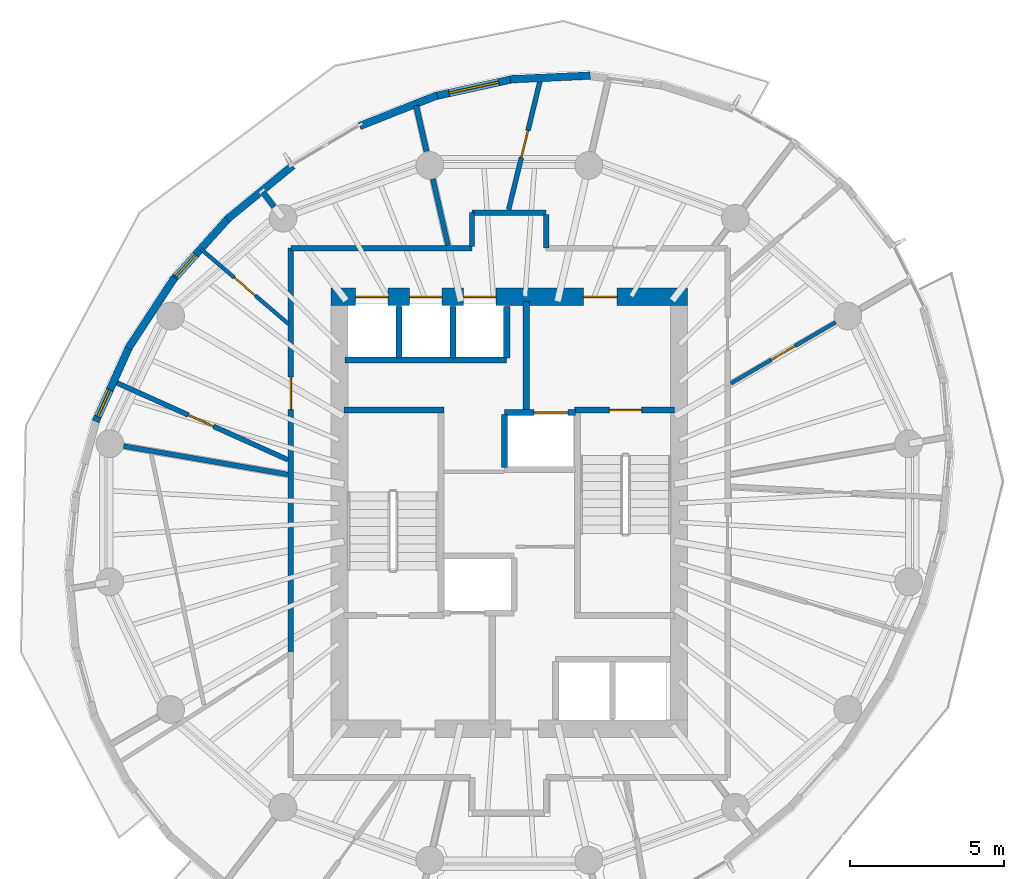
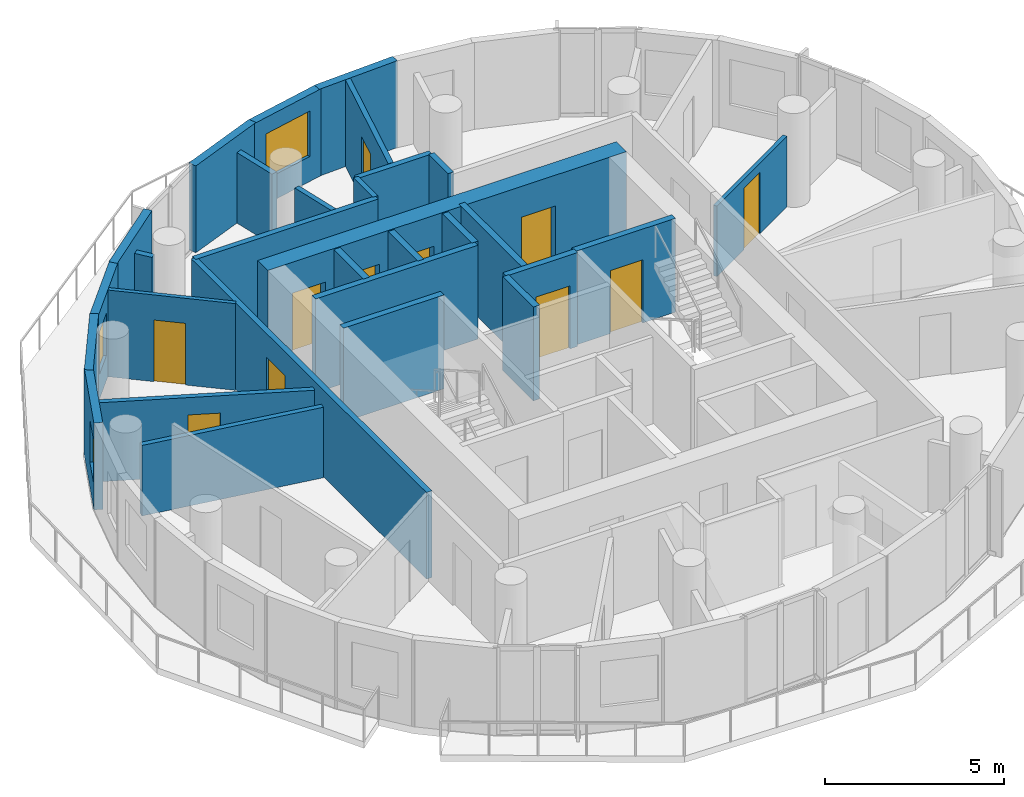
# One storey, part 6 of 10: 30 walls, 11 doors, 3 windows, 14 openings.
"""IFC4 building model written with IfcOpenShell, lengths in metres."""

from ifc_helpers import new_model, si_unit, direction, frame, frame_2d, origin, place, context, subcontext, project, spatial, rectangle, extrude, material, layer, layer_set, type_object, element, fill, save


model = new_model("IFC4")

# Units and contexts
model_context = context("Model", 3, precision=1e-05, world=origin(), true_north=direction((0.0, 1.0)))
body_context = subcontext(model_context, "Body", "Model", "MODEL_VIEW")
ifc_project = project(units=[si_unit("LENGTHUNIT", "METRE"), si_unit("AREAUNIT", "SQUARE_METRE"), si_unit("VOLUMEUNIT", "CUBIC_METRE"), si_unit("PLANEANGLEUNIT", "RADIAN"), si_unit("MASSUNIT", "GRAM", prefix="KILO")], contexts=[model_context])

# Site, building, storey
site_placement = place(None, origin())
site = spatial("IfcSite", under=ifc_project, at=site_placement, CompositionType="ELEMENT")
building_placement = place(site_placement, origin())
building = spatial("IfcBuilding", under=site, at=building_placement, Name="Veldorim Arch Residences", CompositionType="ELEMENT")
storey_placement = place(building_placement, frame((0.0, 0.0, 175.840087890625)))
storey = spatial("IfcBuildingStorey", under=building, at=storey_placement, Name="L52", CompositionType="ELEMENT", Elevation=175.840087890625)

# Wall, opening, door
ifc_material_1 = material(Name="Acoustic Gypsum Board", Category="gypsum")
ifc_layer_1 = layer(ifc_material_1, 0.125, Name="Acoustic Stud Room Partition Wall 125")
ifc_layer_set_1 = layer_set([ifc_layer_1], Name="Acoustic Gypsum Board")
wall_type_1 = type_object("IfcWallType", Name="Acoustic Stud Room Partition Wall 125", PredefinedType="PARTITIONING", material=ifc_layer_set_1)
wall_1_placement = place(storey_placement, frame((42.57958984375, 30.1748046875, 0.0), z_axis=(0.0, 0.0, 1.0), x_axis=(-0.863675291667, -0.504048599407, 0.0)))
wall_1 = element("IfcWall", 1, at=wall_1_placement, inside=storey, type_object=wall_type_1, Name="L52 interior wall WL-RES-L52-023", PredefinedType="PARTITIONING", context=body_context, shape_type="SweptSolid", body=[
    extrude(rectangle(XDim=3.93212890625, YDim=0.125, at=frame_2d((1.966064453125, 0.0))), origin(), (0.0, 0.0, 1.0), 2.4033203125),
])
opening_1_placement = place(wall_1_placement, frame((1.51611328125, 0.0, 0.0)))
opening_1 = element("IfcOpeningElement", 2, at=opening_1_placement, cuts=wall_1, Name="Opening DR-INT", PredefinedType="OPENING", context=body_context, shape_type="SweptSolid", body=[
    extrude(rectangle(XDim=0.89990234375, YDim=2.10009765625, at=frame_2d((0.449951171875, 1.050048828125))), frame((0.0, 0.072509765625, 0.0), z_axis=(0.0, -1.0, 0.0), x_axis=(1.0, 0.0, 0.0)), (0.0, 0.0, 1.0), 0.14501953125),
])
ifc_material_2 = material(Name="Engineered Timber", Category="wood")
door_type_1 = type_object("IfcDoorType", Name="Apartment Internal Room Timber Door 900x2100", OperationType="SINGLE_SWING_LEFT", PredefinedType="DOOR", material=ifc_material_2)
door_1_placement = place(opening_1_placement, origin())
door_1 = element("IfcDoor", 3, at=door_1_placement, inside=storey, type_object=door_type_1, Name="L52 interior door DR-RES-L52-008", OperationType="SINGLE_SWING_RIGHT", OverallHeight=2.10009765625, OverallWidth=0.89990234375, PredefinedType="DOOR", context=body_context, shape_type="SweptSolid", body=[
    extrude(rectangle(XDim=0.89990234375, YDim=2.10009765625, at=frame_2d((0.449951171875, 1.050048828125))), frame((0.0, 0.02490234375, 0.0), z_axis=(0.0, -1.0, 0.0), x_axis=(1.0, 0.0, 0.0)), (0.0, 0.0, 1.0), 0.050048828125),
])
fill(opening_1, door_1)

wall_2_placement = place(storey_placement, frame((22.011962890625, 32.546630859375, 0.0), z_axis=(0.0, 0.0, 1.0), x_axis=(0.759801913408, -0.650154637284, 0.0)))
wall_2 = element("IfcWall", 4, at=wall_2_placement, inside=storey, type_object=wall_type_1, Name="L52 interior wall WL-RES-L52-028", PredefinedType="PARTITIONING", context=body_context, shape_type="SweptSolid", body=[
    extrude(rectangle(XDim=3.727294921875, YDim=0.125, at=frame_2d((1.86376953125, 0.0))), origin(), (0.0, 0.0, 1.0), 2.954833984375),
])
opening_2_placement = place(wall_2_placement, frame((1.413818359375, 0.0, 0.0)))
opening_2 = element("IfcOpeningElement", 5, at=opening_2_placement, cuts=wall_2, Name="Opening DR-INT", PredefinedType="OPENING", context=body_context, shape_type="SweptSolid", body=[
    extrude(rectangle(XDim=0.89990234375, YDim=2.10009765625, at=frame_2d((0.449951171875, 1.050048828125))), frame((0.0, 0.072509765625, 0.0), z_axis=(0.0, -1.0, 0.0), x_axis=(1.0, 0.0, 0.0)), (0.0, 0.0, 1.0), 0.14501953125),
])
door_2_placement = place(opening_2_placement, origin())
door_2 = element("IfcDoor", 6, at=door_2_placement, inside=storey, type_object=door_type_1, Name="L52 interior door DR-RES-L52-013", OperationType="SINGLE_SWING_LEFT", OverallHeight=2.10009765625, OverallWidth=0.89990234375, PredefinedType="DOOR", context=body_context, shape_type="SweptSolid", body=[
    extrude(rectangle(XDim=0.89990234375, YDim=2.10009765625, at=frame_2d((0.449951171875, 1.050048828125))), frame((0.0, 0.02490234375, 0.0), z_axis=(0.0, -1.0, 0.0), x_axis=(1.0, 0.0, 0.0)), (0.0, 0.0, 1.0), 0.050048828125),
])
fill(opening_2, door_2)

# Walls
ifc_material_3 = material(Name="Lightweight Masonry Block & Gypsum", Category="masonry")
ifc_layer_2 = layer(ifc_material_3, 0.179931640625, Name="Compartment & Corridor Fire-Rated Party Wall 180")
ifc_layer_set_2 = layer_set([ifc_layer_2], Name="Lightweight Masonry Block & Gypsum")
wall_type_2 = type_object("IfcWallType", Name="Compartment & Corridor Fire-Rated Party Wall 180", PredefinedType="PARTITIONING", material=ifc_layer_set_2)
wall_3_placement = place(storey_placement, frame((29.320068359375, 35.717529296875, 0.0), z_axis=(0.0, 0.0, 1.0), x_axis=(-0.222976920769, 0.974823723965, 0.0)))
element("IfcWall", 7, at=wall_3_placement, inside=storey, type_object=wall_type_2, Name="L52 interior wall WL-PIER-L52-05", PredefinedType="PARTITIONING", context=body_context, shape_type="SweptSolid", body=[
    extrude(rectangle(XDim=1.525146484375, YDim=0.179931640625, at=frame_2d((0.7626953125, 0.0))), origin(), (0.0, 0.0, 1.0), 2.4033203125),
])
wall_4_placement = place(storey_placement, frame((24.380126953125, 33.91796875, 0.0), z_axis=(0.0, 0.0, 1.0), x_axis=(-0.609062571598, 0.793122174623, 0.0)))
element("IfcWall", 8, at=wall_4_placement, inside=storey, type_object=wall_type_2, Name="L52 interior wall WL-PIER-L52-06", PredefinedType="PARTITIONING", context=body_context, shape_type="SweptSolid", body=[
    extrude(rectangle(XDim=0.600830078125, YDim=0.179931640625, at=frame_2d((0.30029296875, 0.0))), origin(), (0.0, 0.0, 1.0), 2.4033203125),
])
wall_5_placement = place(storey_placement, frame((30.800048828125, 33.72998046875, 0.0), z_axis=(0.0, 0.0, 1.0), x_axis=(1.0, 0.0, 0.0)))
element("IfcWall", 9, at=wall_5_placement, inside=storey, type_object=wall_type_2, Name="L52 interior wall WL-RES-L52-009", PredefinedType="PARTITIONING", context=body_context, shape_type="SweptSolid", body=[
    extrude(rectangle(XDim=2.39990234375, YDim=0.179931640625, at=frame_2d((1.199951171875, 0.0))), origin(), (0.0, 0.0, 1.0), 2.954833984375),
])
wall_6_placement = place(storey_placement, frame((33.199951171875, 33.669921875, 0.0), z_axis=(0.0, 0.0, 1.0), x_axis=(0.0, -1.0, 0.0)))
element("IfcWall", 10, at=wall_6_placement, inside=storey, type_object=wall_type_2, Name="L52 interior wall WL-RES-L52-010", PredefinedType="PARTITIONING", context=body_context, shape_type="SweptSolid", body=[
    extrude(rectangle(XDim=1.08984375, YDim=0.179931640625, at=frame_2d((0.544921875, 0.0))), origin(), (0.0, 0.0, 1.0), 2.954833984375),
])
wall_7_placement = place(storey_placement, frame((24.919921875, 32.580078125, 0.0), z_axis=(0.0, 0.0, 1.0), x_axis=(1.0, 0.0, 0.0)))
element("IfcWall", 11, at=wall_7_placement, inside=storey, type_object=wall_type_2, Name="L52 interior wall WL-RES-L52-011", PredefinedType="PARTITIONING", context=body_context, shape_type="SweptSolid", body=[
    extrude(rectangle(XDim=5.880126953125, YDim=0.179931640625, at=frame_2d((2.93994140625, 0.0))), origin(), (0.0, 0.0, 1.0), 2.954833984375),
])

# Wall, opening, door
wall_8_placement = place(storey_placement, frame((24.919921875, 19.44921875, 0.0), z_axis=(0.0, 0.0, 1.0), x_axis=(0.0, 1.0, 0.0)))
wall_8 = element("IfcWall", 12, at=wall_8_placement, inside=storey, type_object=wall_type_2, Name="L52 interior wall WL-RES-L52-013", PredefinedType="PARTITIONING", context=body_context, shape_type="SweptSolid", body=[
    extrude(rectangle(XDim=13.130859375, YDim=0.179931640625, at=frame_2d((6.5654296875, 0.0))), origin(), (0.0, 0.0, 1.0), 2.954833984375),
])
opening_3_placement = place(wall_8_placement, frame((7.896728515625, 0.0, 0.0)))
opening_3 = element("IfcOpeningElement", 13, at=opening_3_placement, cuts=wall_8, Name="Opening DR-FLT", PredefinedType="OPENING", context=body_context, shape_type="SweptSolid", body=[
    extrude(rectangle(XDim=1.050048828125, YDim=2.14990234375, at=frame_2d((0.52490234375, 1.074951171875))), frame((0.0, 0.099853515625, 0.0), z_axis=(0.0, -1.0, 0.0), x_axis=(1.0, 0.0, 0.0)), (0.0, 0.0, 1.0), 0.199951171875),
])
ifc_material_4 = material(Name="Fire-Rated Timber", Category="wood")
door_type_2 = type_object("IfcDoorType", Name="Apartment Entrance Solid-Core Fire Door 1050x2150", OperationType="SINGLE_SWING_LEFT", PredefinedType="DOOR", material=ifc_material_4)
door_3_placement = place(opening_3_placement, origin())
door_3 = element("IfcDoor", 14, at=door_3_placement, inside=storey, type_object=door_type_2, Name="L52 interior door DR-RES-L52-011", OperationType="SINGLE_SWING_LEFT", OverallHeight=2.14990234375, OverallWidth=1.050048828125, PredefinedType="DOOR", context=body_context, shape_type="SweptSolid", body=[
    extrude(rectangle(XDim=1.050048828125, YDim=2.14990234375, at=frame_2d((0.52490234375, 1.074951171875))), frame((0.0, 0.02490234375, 0.0), z_axis=(0.0, -1.0, 0.0), x_axis=(1.0, 0.0, 0.0)), (0.0, 0.0, 1.0), 0.050048828125),
])
fill(opening_3, door_3)

# Wall
ifc_material_5 = material(Name="Concrete C50/60", Category="concrete")
ifc_layer_3 = layer(ifc_material_5, 0.199951171875, Name="Core Stair & Lift Shaft Enclosure Wall 200")
ifc_layer_set_3 = layer_set([ifc_layer_3], Name="Concrete C50/60")
wall_type_3 = type_object("IfcWallType", Name="Core Stair & Lift Shaft Enclosure Wall 200", PredefinedType="SHEAR", material=ifc_layer_set_3)
wall_9_placement = place(storey_placement, frame((26.64990234375, 27.330078125, 0.0), z_axis=(0.0, 0.0, 1.0), x_axis=(1.0, 0.0, 0.0)))
element("IfcWall", 15, at=wall_9_placement, inside=storey, type_object=wall_type_3, Name="L52 shaft wall WL-SHF-L52-ST1-N", PredefinedType="SHEAR", context=body_context, shape_type="SweptSolid", body=[
    extrude(rectangle(XDim=3.239990234375, YDim=0.199951171875, at=frame_2d((1.6201171875, 0.0))), origin(), (0.0, 0.0, 1.0), 3.199951171875),
])

# Wall, opening, door
wall_10_placement = place(storey_placement, frame((34.110107421875, 27.330078125, 0.0), z_axis=(0.0, 0.0, 1.0), x_axis=(1.0, 0.0, 0.0)))
wall_10 = element("IfcWall", 16, at=wall_10_placement, inside=storey, type_object=wall_type_3, Name="L52 shaft wall WL-SHF-L52-ST2-N", PredefinedType="SHEAR", context=body_context, shape_type="SweptSolid", body=[
    extrude(rectangle(XDim=3.239990234375, YDim=0.199951171875, at=frame_2d((1.6201171875, 0.0))), origin(), (0.0, 0.0, 1.0), 3.199951171875),
])
opening_4_placement = place(wall_10_placement, frame((1.135009765625, 0.0, 0.0)))
opening_4 = element("IfcOpeningElement", 17, at=opening_4_placement, cuts=wall_10, Name="Opening DR-ST", PredefinedType="OPENING", context=body_context, shape_type="SweptSolid", body=[
    extrude(rectangle(XDim=1.050048828125, YDim=2.14990234375, at=frame_2d((0.52490234375, 1.074951171875))), frame((0.0, 0.10986328125, 0.0), z_axis=(0.0, -1.0, 0.0), x_axis=(1.0, 0.0, 0.0)), (0.0, 0.0, 1.0), 0.219970703125),
])
ifc_material_6 = material(Name="Fire-Rated Steel", Category="steel")
door_type_3 = type_object("IfcDoorType", Name="Exit Staircase Self-Closing Fire Door 1050x2150", OperationType="SINGLE_SWING_LEFT", PredefinedType="DOOR", material=ifc_material_6)
door_4_placement = place(opening_4_placement, origin())
door_4 = element("IfcDoor", 18, at=door_4_placement, inside=storey, type_object=door_type_3, Name="L52 interior door DR-L52-ST2", OperationType="SINGLE_SWING_RIGHT", OverallHeight=2.14990234375, OverallWidth=1.050048828125, PredefinedType="DOOR", context=body_context, shape_type="SweptSolid", body=[
    extrude(rectangle(XDim=1.050048828125, YDim=2.14990234375, at=frame_2d((0.52490234375, 1.074951171875))), frame((0.0, 0.02490234375, 0.0), z_axis=(0.0, -1.0, 0.0), x_axis=(1.0, 0.0, 0.0)), (0.0, 0.0, 1.0), 0.050048828125),
])
fill(opening_4, door_4)

# Wall
wall_11_placement = place(storey_placement, frame((32.550048828125, 27.35009765625, 0.0), z_axis=(0.0, 0.0, 1.0), x_axis=(0.0, 1.0, 0.0)))
element("IfcWall", 19, at=wall_11_placement, inside=storey, type_object=wall_type_3, Name="L52 shaft wall WL-FFL2-L52-W", PredefinedType="SHEAR", context=body_context, shape_type="SweptSolid", body=[
    extrude(rectangle(XDim=3.5, YDim=0.199951171875, at=frame_2d((1.75, 0.0))), origin(), (0.0, 0.0, 1.0), 3.199951171875),
])

# Wall, opening, door
wall_12_placement = place(storey_placement, frame((31.85009765625, 27.25, 0.0), z_axis=(0.0, 0.0, 1.0), x_axis=(1.0, 0.0, 0.0)))
wall_12 = element("IfcWall", 20, at=wall_12_placement, inside=storey, type_object=wall_type_3, Name="L52 shaft wall WL-FL02-L52-N", PredefinedType="SHEAR", context=body_context, shape_type="SweptSolid", body=[
    extrude(rectangle(XDim=2.2998046875, YDim=0.199951171875, at=frame_2d((1.14990234375, 0.0))), origin(), (0.0, 0.0, 1.0), 3.199951171875),
])
opening_5_placement = place(wall_12_placement, frame((0.949951171875, 0.0, 0.0)))
opening_5 = element("IfcOpeningElement", 21, at=opening_5_placement, cuts=wall_12, Name="Opening LD-FF", PredefinedType="OPENING", context=body_context, shape_type="SweptSolid", body=[
    extrude(rectangle(XDim=1.10009765625, YDim=2.14990234375, at=frame_2d((0.550048828125, 1.074951171875))), frame((0.0, 0.10986328125, 0.0), z_axis=(0.0, -1.0, 0.0), x_axis=(1.0, 0.0, 0.0)), (0.0, 0.0, 1.0), 0.219970703125),
])
ifc_material_7 = material(Name="Stainless Steel", Category="steel")
door_type_4 = type_object("IfcDoorType", Name="Firefighting Lift Bi-Parting Sliding Landing Door 1100x2150", OperationType="DOUBLE_DOOR_SLIDING", PredefinedType="DOOR", material=ifc_material_7)
door_5_placement = place(opening_5_placement, origin())
door_5 = element("IfcDoor", 22, at=door_5_placement, inside=storey, type_object=door_type_4, Name="L52 lift landing door LD-L52-FL02", OperationType="DOUBLE_DOOR_SLIDING", OverallHeight=2.14990234375, OverallWidth=1.10009765625, PredefinedType="DOOR", context=body_context, shape_type="SweptSolid", body=[
    extrude(rectangle(XDim=1.10009765625, YDim=2.14990234375, at=frame_2d((0.550048828125, 1.074951171875))), frame((0.0, 0.02490234375, 0.0), z_axis=(0.0, -1.0, 0.0), x_axis=(1.0, 0.0, 0.0)), (0.0, 0.0, 1.0), 0.050048828125),
])
fill(opening_5, door_5)

# Walls
wall_13_placement = place(storey_placement, frame((31.85009765625, 25.469970703125, 0.0), z_axis=(0.0, 0.0, 1.0), x_axis=(0.0, 1.0, 0.0)))
element("IfcWall", 23, at=wall_13_placement, inside=storey, type_object=wall_type_3, Name="L52 shaft wall WL-FL02-L52-W", PredefinedType="SHEAR", context=body_context, shape_type="SweptSolid", body=[
    extrude(rectangle(XDim=1.7099609375, YDim=0.199951171875, at=frame_2d((0.85498046875, 0.0))), origin(), (0.0, 0.0, 1.0), 3.199951171875),
])
wall_14_placement = place(storey_placement, frame((26.679931640625, 28.949951171875, 0.0), z_axis=(0.0, 0.0, 1.0), x_axis=(1.0, 0.0, 0.0)))
element("IfcWall", 24, at=wall_14_placement, inside=storey, type_object=wall_type_3, Name="L52 shaft wall WL-B3-L52-S", PredefinedType="SHEAR", context=body_context, shape_type="SweptSolid", body=[
    extrude(rectangle(XDim=5.239990234375, YDim=0.199951171875, at=frame_2d((2.6201171875, 0.0))), origin(), (0.0, 0.0, 1.0), 3.199951171875),
])
for number, where, z_axis, x_axis, name in (
    (25, (31.919921875, 29.02001953125, 0.0), (0.0, 0.0, 1.0), (0.0, 1.0, 0.0), "L52 shaft wall WL-B3-L52-E"),
    (26, (28.425048828125, 29.02001953125, 0.0), (0.0, 0.0, 1.0), (0.0, 1.0, 0.0), "L52 shaft wall WL-B3-L52-D1"),
    (27, (30.175048828125, 29.02001953125, 0.0), (0.0, 0.0, 1.0), (0.0, 1.0, 0.0), "L52 shaft wall WL-B3-L52-D2"),
):
    element("IfcWall", number, at=place(storey_placement, frame(where, z_axis=z_axis, x_axis=x_axis)), inside=storey, type_object=wall_type_3, Name=name, PredefinedType="SHEAR", context=body_context, shape_type="SweptSolid", body=[
        extrude(rectangle(XDim=1.659912109375, YDim=0.199951171875, at=frame_2d((0.830078125, 0.0))), origin(), (0.0, 0.0, 1.0), 3.199951171875),
    ])
ifc_material_8 = material(Name="Precast concrete C40/50", Category="concrete")
ifc_layer_4 = layer(ifc_material_8, 0.25, Name="Tower Terracotta Spandrel & Pier Wall 250")
ifc_layer_set_4 = layer_set([ifc_layer_4], Name="Precast concrete C40/50")
wall_type_4 = type_object("IfcWallType", Name="Tower Terracotta Spandrel & Pier Wall 250", PredefinedType="SOLIDWALL", material=ifc_layer_set_4)
wall_15_placement = place(storey_placement, frame((32.03564453125, 38.053466796875, 0.0), z_axis=(0.0, 0.0, 1.0), x_axis=(0.998912652492, 0.046620946915, 0.0)))
element("IfcWall", 28, at=wall_15_placement, inside=storey, type_object=wall_type_4, Name="L52 terracotta facade wall 05", PredefinedType="SOLIDWALL", context=body_context, shape_type="SweptSolid", body=[
    extrude(rectangle(XDim=2.59228515625, YDim=0.25, at=frame_2d((1.296142578125, 0.0))), origin(), (0.0, 0.0, 1.0), 2.9599609375),
])

# Wall, opening, window
wall_16_placement = place(storey_placement, frame((29.555908203125, 37.501220703125, 0.0), z_axis=(0.0, 0.0, 1.0), x_axis=(0.976886196324, 0.213760051067, 0.0)))
wall_16 = element("IfcWall", 29, at=wall_16_placement, inside=storey, type_object=wall_type_4, Name="L52 terracotta facade wall 06", PredefinedType="SOLIDWALL", context=body_context, shape_type="SweptSolid", body=[
    extrude(rectangle(XDim=2.65087890625, YDim=0.25, at=frame_2d((1.325439453125, 0.0))), origin(), (0.0, 0.0, 1.0), 2.9599609375),
])
opening_6_placement = place(wall_16_placement, frame((0.5009765625, 0.0, 0.85009765625)))
opening_6 = element("IfcOpeningElement", 30, at=opening_6_placement, cuts=wall_16, Name="Opening WN-03", PredefinedType="OPENING", context=body_context, shape_type="SweptSolid", body=[
    extrude(rectangle(XDim=1.64990234375, YDim=1.550048828125, at=frame_2d((0.824951171875, 0.77490234375))), frame((0.0, 0.135009765625, 0.0), z_axis=(0.0, -1.0, 0.0), x_axis=(1.0, 0.0, 0.0)), (0.0, 0.0, 1.0), 0.27001953125),
])
ifc_material_9 = material(Name="Laminated Low-E Glass", Category="glass")
window_type_1 = type_object("IfcWindowType", Name="Residential Wide Window 1650x1550", PartitioningType="SINGLE_PANEL", PredefinedType="WINDOW", material=ifc_material_9)
window_1_placement = place(opening_6_placement, origin())
window_1 = element("IfcWindow", 31, at=window_1_placement, inside=storey, type_object=window_type_1, Name="L52 solar-control facade window 06", OverallHeight=1.550048828125, OverallWidth=1.64990234375, PartitioningType="SINGLE_PANEL", PredefinedType="WINDOW", context=body_context, shape_type="SweptSolid", body=[
    extrude(rectangle(XDim=1.64990234375, YDim=1.550048828125, at=frame_2d((0.824951171875, 0.77490234375))), frame((0.0, 0.030029296875, 0.0), z_axis=(0.0, -1.0, 0.0), x_axis=(1.0, 0.0, 0.0)), (0.0, 0.0, 1.0), 0.06005859375),
])
fill(opening_6, window_1)

# Walls
wall_17_placement = place(storey_placement, frame((27.149169921875, 36.5380859375, 0.0), z_axis=(0.0, 0.0, 1.0), x_axis=(0.929693178164, 0.368334894459, 0.0)))
element("IfcWall", 32, at=wall_17_placement, inside=storey, type_object=wall_type_4, Name="L52 terracotta facade wall 07", PredefinedType="SOLIDWALL", context=body_context, shape_type="SweptSolid", body=[
    extrude(rectangle(XDim=2.70166015625, YDim=0.25, at=frame_2d((1.350830078125, 0.0))), origin(), (0.0, 0.0, 1.0), 2.9599609375),
])
wall_18_placement = place(storey_placement, frame((22.84521484375, 33.5078125, 0.0), z_axis=(0.0, 0.0, 1.0), x_axis=(0.773491700486, 0.633806428872, 0.0)))
element("IfcWall", 33, at=wall_18_placement, inside=storey, type_object=wall_type_4, Name="L52 terracotta facade wall 09", PredefinedType="SOLIDWALL", context=body_context, shape_type="SweptSolid", body=[
    extrude(rectangle(XDim=2.758056640625, YDim=0.25, at=frame_2d((1.37890625, 0.0))), origin(), (0.0, 0.0, 1.0), 2.9599609375),
])

# Wall, opening, window
wall_19_placement = place(storey_placement, frame((21.079345703125, 31.532470703125, 0.0), z_axis=(0.0, 0.0, 1.0), x_axis=(0.668764193685, 0.743474581438, 0.0)))
wall_19 = element("IfcWall", 34, at=wall_19_placement, inside=storey, type_object=wall_type_4, Name="L52 terracotta facade wall 10", PredefinedType="SOLIDWALL", context=body_context, shape_type="SweptSolid", body=[
    extrude(rectangle(XDim=2.758056640625, YDim=0.25, at=frame_2d((1.37890625, 0.0))), origin(), (0.0, 0.0, 1.0), 2.9599609375),
])
opening_7_placement = place(wall_19_placement, frame((0.175048828125, 0.0, 0.85009765625)))
opening_7 = element("IfcOpeningElement", 35, at=opening_7_placement, cuts=wall_19, Name="Opening WN-05", PredefinedType="OPENING", context=body_context, shape_type="SweptSolid", body=[
    extrude(rectangle(XDim=0.949951171875, YDim=1.449951171875, at=frame_2d((0.47509765625, 0.72509765625))), frame((0.0, 0.135009765625, 0.0), z_axis=(0.0, -1.0, 0.0), x_axis=(1.0, 0.0, 0.0)), (0.0, 0.0, 1.0), 0.27001953125),
])
ifc_material_10 = material(Name="Laminated Low-E Glass", Category="glass")
window_type_2 = type_object("IfcWindowType", Name="Residential Compact Casement Window 950x1450", PartitioningType="SINGLE_PANEL", PredefinedType="WINDOW", material=ifc_material_10)
window_2_placement = place(opening_7_placement, origin())
window_2 = element("IfcWindow", 36, at=window_2_placement, inside=storey, type_object=window_type_2, Name="L52 solar-control facade window 10", OverallHeight=1.449951171875, OverallWidth=0.949951171875, PartitioningType="SINGLE_PANEL", PredefinedType="WINDOW", context=body_context, shape_type="SweptSolid", body=[
    extrude(rectangle(XDim=0.949951171875, YDim=1.449951171875, at=frame_2d((0.47509765625, 0.72509765625))), frame((0.0, 0.030029296875, 0.0), z_axis=(0.0, -1.0, 0.0), x_axis=(1.0, 0.0, 0.0)), (0.0, 0.0, 1.0), 0.06005859375),
])
fill(opening_7, window_2)

# Wall
wall_20_placement = place(storey_placement, frame((19.64599609375, 29.327392578125, 0.0), z_axis=(0.0, 0.0, 1.0), x_axis=(0.547664848596, 0.83669780304, 0.0)))
element("IfcWall", 37, at=wall_20_placement, inside=storey, type_object=wall_type_4, Name="L52 terracotta facade wall 11", PredefinedType="SOLIDWALL", context=body_context, shape_type="SweptSolid", body=[
    extrude(rectangle(XDim=2.738525390625, YDim=0.25, at=frame_2d((1.369140625, 0.0))), origin(), (0.0, 0.0, 1.0), 2.9599609375),
])

# Wall, opening, window
wall_21_placement = place(storey_placement, frame((18.589111328125, 26.9599609375, 0.0), z_axis=(0.0, 0.0, 1.0), x_axis=(0.410736648959, 0.911754026699, 0.0)))
wall_21 = element("IfcWall", 38, at=wall_21_placement, inside=storey, type_object=wall_type_4, Name="L52 terracotta facade wall 12", PredefinedType="SOLIDWALL", context=body_context, shape_type="SweptSolid", body=[
    extrude(rectangle(XDim=2.701416015625, YDim=0.25, at=frame_2d((1.3505859375, 0.0))), origin(), (0.0, 0.0, 1.0), 2.9599609375),
])
opening_8_placement = place(wall_21_placement, frame((0.175048828125, 0.0, 0.85009765625)))
opening_8 = element("IfcOpeningElement", 39, at=opening_8_placement, cuts=wall_21, Name="Opening WN-05", PredefinedType="OPENING", context=body_context, shape_type="SweptSolid", body=[
    extrude(rectangle(XDim=0.949951171875, YDim=1.449951171875, at=frame_2d((0.47509765625, 0.72509765625))), frame((0.0, 0.135009765625, 0.0), z_axis=(0.0, -1.0, 0.0), x_axis=(1.0, 0.0, 0.0)), (0.0, 0.0, 1.0), 0.27001953125),
])
window_3_placement = place(opening_8_placement, origin())
window_3 = element("IfcWindow", 40, at=window_3_placement, inside=storey, type_object=window_type_2, Name="L52 solar-control facade window 12", OverallHeight=1.449951171875, OverallWidth=0.949951171875, PartitioningType="SINGLE_PANEL", PredefinedType="WINDOW", context=body_context, shape_type="SweptSolid", body=[
    extrude(rectangle(XDim=0.949951171875, YDim=1.449951171875, at=frame_2d((0.47509765625, 0.72509765625))), frame((0.0, 0.030029296875, 0.0), z_axis=(0.0, -1.0, 0.0), x_axis=(1.0, 0.0, 0.0)), (0.0, 0.0, 1.0), 0.06005859375),
])
fill(opening_8, window_3)

# Wall, openings, doors
ifc_material_11 = material(Name="Concrete C50/60", Category="concrete")
ifc_layer_5 = layer(ifc_material_11, 0.5, Name="Upper Central Core Shear Wall 560")
ifc_layer_set_5 = layer_set([ifc_layer_5], Name="Concrete C50/60")
wall_type_5 = type_object("IfcWallType", Name="Upper Central Core Shear Wall 560", PredefinedType="SHEAR", material=ifc_layer_set_5)
wall_22_placement = place(storey_placement, frame((26.219970703125, 31.0, 0.0), z_axis=(0.0, 0.0, 1.0), x_axis=(1.0, 0.0, 0.0)))
wall_22 = element("IfcWall", 41, at=wall_22_placement, inside=storey, type_object=wall_type_5, Name="L52 central core north shear wall", PredefinedType="SHEAR", context=body_context, shape_type="SweptSolid", body=[
    extrude(rectangle(XDim=11.56005859375, YDim=0.56005859375, at=frame_2d((5.780029296875, 0.0))), origin(), (0.0, 0.0, 1.0), 3.199951171875),
])
opening_9_placement = place(wall_22_placement, frame((8.179931640625, 0.0, 0.0)))
opening_9 = element("IfcOpeningElement", 42, at=opening_9_placement, cuts=wall_22, Name="Opening DR-FFL", PredefinedType="OPENING", context=body_context, shape_type="SweptSolid", body=[
    extrude(rectangle(XDim=1.10009765625, YDim=2.14990234375, at=frame_2d((0.550048828125, 1.074951171875))), frame((0.0, 0.2900390625, 0.0), z_axis=(0.0, -1.0, 0.0), x_axis=(1.0, 0.0, 0.0)), (0.0, 0.0, 1.0), 0.580078125),
])
opening_10_placement = place(wall_22_placement, frame((0.804931640625, 0.0, 0.0)))
opening_10 = element("IfcOpeningElement", 43, at=opening_10_placement, cuts=wall_22, Name="Opening LD-PS", PredefinedType="OPENING", context=body_context, shape_type="SweptSolid", body=[
    extrude(rectangle(XDim=1.050048828125, YDim=2.14990234375, at=frame_2d((0.52490234375, 1.074951171875))), frame((0.0, 0.2900390625, 0.0), z_axis=(0.0, -1.0, 0.0), x_axis=(1.0, 0.0, 0.0)), (0.0, 0.0, 1.0), 0.580078125),
])
opening_11_placement = place(wall_22_placement, frame((2.554931640625, 0.0, 0.0)))
opening_11 = element("IfcOpeningElement", 44, at=opening_11_placement, cuts=wall_22, Name="Opening LD-PS", PredefinedType="OPENING", context=body_context, shape_type="SweptSolid", body=[
    extrude(rectangle(XDim=1.050048828125, YDim=2.14990234375, at=frame_2d((0.52490234375, 1.074951171875))), frame((0.0, 0.2900390625, 0.0), z_axis=(0.0, -1.0, 0.0), x_axis=(1.0, 0.0, 0.0)), (0.0, 0.0, 1.0), 0.580078125),
])
opening_12_placement = place(wall_22_placement, frame((4.304931640625, 0.0, 0.0)))
opening_12 = element("IfcOpeningElement", 45, at=opening_12_placement, cuts=wall_22, Name="Opening LD-PS", PredefinedType="OPENING", context=body_context, shape_type="SweptSolid", body=[
    extrude(rectangle(XDim=1.050048828125, YDim=2.14990234375, at=frame_2d((0.52490234375, 1.074951171875))), frame((0.0, 0.2900390625, 0.0), z_axis=(0.0, -1.0, 0.0), x_axis=(1.0, 0.0, 0.0)), (0.0, 0.0, 1.0), 0.580078125),
])
ifc_material_12 = material(Name="Fire-Rated Steel & Vision Glass", Category="steel")
door_type_5 = type_object("IfcDoorType", Name="Firefighting Lobby Smoke-Stop Fire Door 1100x2150", OperationType="SINGLE_SWING_LEFT", PredefinedType="DOOR", material=ifc_material_12)
door_6_placement = place(opening_9_placement, origin())
door_6 = element("IfcDoor", 46, at=door_6_placement, inside=storey, type_object=door_type_5, Name="L52 interior door DR-L52-FFL2", OperationType="SINGLE_SWING_LEFT", OverallHeight=2.14990234375, OverallWidth=1.10009765625, PredefinedType="DOOR", context=body_context, shape_type="SweptSolid", body=[
    extrude(rectangle(XDim=1.10009765625, YDim=2.14990234375, at=frame_2d((0.550048828125, 1.074951171875))), frame((0.0, 0.02490234375, 0.0), z_axis=(0.0, -1.0, 0.0), x_axis=(1.0, 0.0, 0.0)), (0.0, 0.0, 1.0), 0.050048828125),
])
fill(opening_9, door_6)
ifc_material_13 = material(Name="Stainless Steel", Category="steel")
door_type_6 = type_object("IfcDoorType", Name="Passenger Lift Bi-Parting Sliding Landing Door 1050x2150", OperationType="DOUBLE_DOOR_SLIDING", PredefinedType="DOOR", material=ifc_material_13)
door_7_placement = place(opening_10_placement, origin())
door_7 = element("IfcDoor", 47, at=door_7_placement, inside=storey, type_object=door_type_6, Name="L52 lift landing door LD-L52-PL-08", OperationType="DOUBLE_DOOR_SLIDING", OverallHeight=2.14990234375, OverallWidth=1.050048828125, PredefinedType="DOOR", context=body_context, shape_type="SweptSolid", body=[
    extrude(rectangle(XDim=1.050048828125, YDim=2.14990234375, at=frame_2d((0.52490234375, 1.074951171875))), frame((0.0, 0.02490234375, 0.0), z_axis=(0.0, -1.0, 0.0), x_axis=(1.0, 0.0, 0.0)), (0.0, 0.0, 1.0), 0.050048828125),
])
fill(opening_10, door_7)
door_8_placement = place(opening_11_placement, origin())
door_8 = element("IfcDoor", 48, at=door_8_placement, inside=storey, type_object=door_type_6, Name="L52 lift landing door LD-L52-PL-09", OperationType="DOUBLE_DOOR_SLIDING", OverallHeight=2.14990234375, OverallWidth=1.050048828125, PredefinedType="DOOR", context=body_context, shape_type="SweptSolid", body=[
    extrude(rectangle(XDim=1.050048828125, YDim=2.14990234375, at=frame_2d((0.52490234375, 1.074951171875))), frame((0.0, 0.02490234375, 0.0), z_axis=(0.0, -1.0, 0.0), x_axis=(1.0, 0.0, 0.0)), (0.0, 0.0, 1.0), 0.050048828125),
])
fill(opening_11, door_8)
door_9_placement = place(opening_12_placement, origin())
door_9 = element("IfcDoor", 49, at=door_9_placement, inside=storey, type_object=door_type_6, Name="L52 lift landing door LD-L52-PL-10", OperationType="DOUBLE_DOOR_SLIDING", OverallHeight=2.14990234375, OverallWidth=1.050048828125, PredefinedType="DOOR", context=body_context, shape_type="SweptSolid", body=[
    extrude(rectangle(XDim=1.050048828125, YDim=2.14990234375, at=frame_2d((0.52490234375, 1.074951171875))), frame((0.0, 0.02490234375, 0.0), z_axis=(0.0, -1.0, 0.0), x_axis=(1.0, 0.0, 0.0)), (0.0, 0.0, 1.0), 0.050048828125),
])
fill(opening_12, door_9)

# Wall
ifc_material_14 = material(Name="Moisture-Resistant Gypsum & Stud", Category="gypsum")
ifc_layer_6 = layer(ifc_material_14, 0.159912109375, Name="Wet-Area Moisture-Resistant Plumbing Wall 160")
ifc_layer_set_6 = layer_set([ifc_layer_6], Name="Moisture-Resistant Gypsum & Stud")
wall_type_6 = type_object("IfcWallType", Name="Wet-Area Moisture-Resistant Plumbing Wall 160", PredefinedType="PLUMBINGWALL", material=ifc_layer_set_6)
wall_23_placement = place(storey_placement, frame((30.800048828125, 32.639892578125, 0.0), z_axis=(0.0, 0.0, 1.0), x_axis=(0.0, 1.0, 0.0)))
element("IfcWall", 50, at=wall_23_placement, inside=storey, type_object=wall_type_6, Name="L52 interior wall WL-RES-L52-012", PredefinedType="PLUMBINGWALL", context=body_context, shape_type="SweptSolid", body=[
    extrude(rectangle(XDim=1.090087890625, YDim=0.159912109375, at=frame_2d((0.544921875, 0.0))), origin(), (0.0, 0.0, 1.0), 2.954833984375),
])

# Wall, opening, door
wall_24_placement = place(storey_placement, frame((31.981201171875, 33.8271484375, 0.0), z_axis=(0.0, 0.0, 1.0), x_axis=(0.237157525666, 0.971471208024, 0.0)))
wall_24 = element("IfcWall", 51, at=wall_24_placement, inside=storey, type_object=wall_type_6, Name="L52 interior wall WL-RES-L52-025", PredefinedType="PLUMBINGWALL", context=body_context, shape_type="SweptSolid", body=[
    extrude(rectangle(XDim=4.38232421875, YDim=0.159912109375, at=frame_2d((2.191162109375, 0.0))), origin(), (0.0, 0.0, 1.0), 2.954833984375),
])
opening_13_placement = place(wall_24_placement, frame((1.7412109375, 0.0, 0.0)))
opening_13 = element("IfcOpeningElement", 52, at=opening_13_placement, cuts=wall_24, Name="Opening DR-WC", PredefinedType="OPENING", context=body_context, shape_type="SweptSolid", body=[
    extrude(rectangle(XDim=0.89990234375, YDim=2.10009765625, at=frame_2d((0.449951171875, 1.050048828125))), frame((0.0, 0.08984375, 0.0), z_axis=(0.0, -1.0, 0.0), x_axis=(1.0, 0.0, 0.0)), (0.0, 0.0, 1.0), 0.179931640625),
])
ifc_material_15 = material(Name="Laminate Timber", Category="wood")
door_type_7 = type_object("IfcDoorType", Name="Bathroom & Accessible WC Moisture-Sealed Door 900x2100", OperationType="SINGLE_SWING_LEFT", PredefinedType="DOOR", material=ifc_material_15)
door_10_placement = place(opening_13_placement, origin())
door_10 = element("IfcDoor", 53, at=door_10_placement, inside=storey, type_object=door_type_7, Name="L52 interior door DR-RES-L52-010", OperationType="SINGLE_SWING_RIGHT", OverallHeight=2.10009765625, OverallWidth=0.89990234375, PredefinedType="DOOR", context=body_context, shape_type="SweptSolid", body=[
    extrude(rectangle(XDim=0.89990234375, YDim=2.10009765625, at=frame_2d((0.449951171875, 1.050048828125))), frame((0.0, 0.02490234375, 0.0), z_axis=(0.0, -1.0, 0.0), x_axis=(1.0, 0.0, 0.0)), (0.0, 0.0, 1.0), 0.050048828125),
])
fill(opening_13, door_10)

# Wall
wall_25_placement = place(storey_placement, frame((30.015380859375, 32.677490234375, 0.0), z_axis=(0.0, 0.0, 1.0), x_axis=(-0.222969522248, 0.974825416241, 0.0)))
element("IfcWall", 54, at=wall_25_placement, inside=storey, type_object=wall_type_6, Name="L52 interior wall WL-RES-L52-026", PredefinedType="PLUMBINGWALL", context=body_context, shape_type="SweptSolid", body=[
    extrude(rectangle(XDim=2.19873046875, YDim=0.159912109375, at=frame_2d((1.099365234375, 0.0))), origin(), (0.0, 0.0, 1.0), 2.4033203125),
])

# Wall, opening, door
wall_26_placement = place(storey_placement, frame((24.828857421875, 25.71826171875, 0.0), z_axis=(0.0, 0.0, 1.0), x_axis=(-0.912008646932, 0.410170974012, 0.0)))
wall_26 = element("IfcWall", 55, at=wall_26_placement, inside=storey, type_object=wall_type_6, Name="L52 interior wall WL-RES-L52-027", PredefinedType="PLUMBINGWALL", context=body_context, shape_type="SweptSolid", body=[
    extrude(rectangle(XDim=6.184326171875, YDim=0.159912109375, at=frame_2d((3.09228515625, 0.0))), origin(), (0.0, 0.0, 1.0), 2.69189453125),
])
opening_14_placement = place(wall_26_placement, frame((2.64208984375, 0.0, 0.0)))
opening_14 = element("IfcOpeningElement", 56, at=opening_14_placement, cuts=wall_26, Name="Opening DR-WC", PredefinedType="OPENING", context=body_context, shape_type="SweptSolid", body=[
    extrude(rectangle(XDim=0.89990234375, YDim=2.10009765625, at=frame_2d((0.449951171875, 1.050048828125))), frame((0.0, 0.08984375, 0.0), z_axis=(0.0, -1.0, 0.0), x_axis=(1.0, 0.0, 0.0)), (0.0, 0.0, 1.0), 0.179931640625),
])
door_11_placement = place(opening_14_placement, origin())
door_11 = element("IfcDoor", 57, at=door_11_placement, inside=storey, type_object=door_type_7, Name="L52 interior door DR-RES-L52-012", OperationType="SINGLE_SWING_RIGHT", OverallHeight=2.10009765625, OverallWidth=0.89990234375, PredefinedType="DOOR", context=body_context, shape_type="SweptSolid", body=[
    extrude(rectangle(XDim=0.89990234375, YDim=2.10009765625, at=frame_2d((0.449951171875, 1.050048828125))), frame((0.0, 0.02490234375, 0.0), z_axis=(0.0, -1.0, 0.0), x_axis=(1.0, 0.0, 0.0)), (0.0, 0.0, 1.0), 0.050048828125),
])
fill(opening_14, door_11)

# Wall
wall_27_placement = place(storey_placement, frame((24.821533203125, 25.24169921875, 0.0), z_axis=(0.0, 0.0, 1.0), x_axis=(-0.985362047777, 0.170474733611, 0.0)))
element("IfcWall", 58, at=wall_27_placement, inside=storey, type_object=wall_type_6, Name="L52 interior wall WL-RES-L52-029", PredefinedType="PLUMBINGWALL", context=body_context, shape_type="SweptSolid", body=[
    extrude(rectangle(XDim=5.399169921875, YDim=0.159912109375, at=frame_2d((2.69970703125, 0.0))), origin(), (0.0, 0.0, 1.0), 2.4033203125),
])

save(model, "model.ifc")
